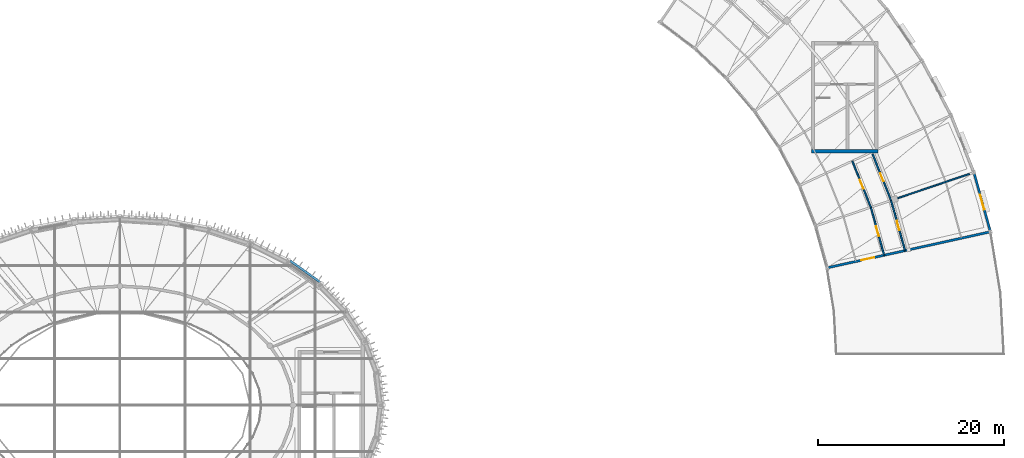
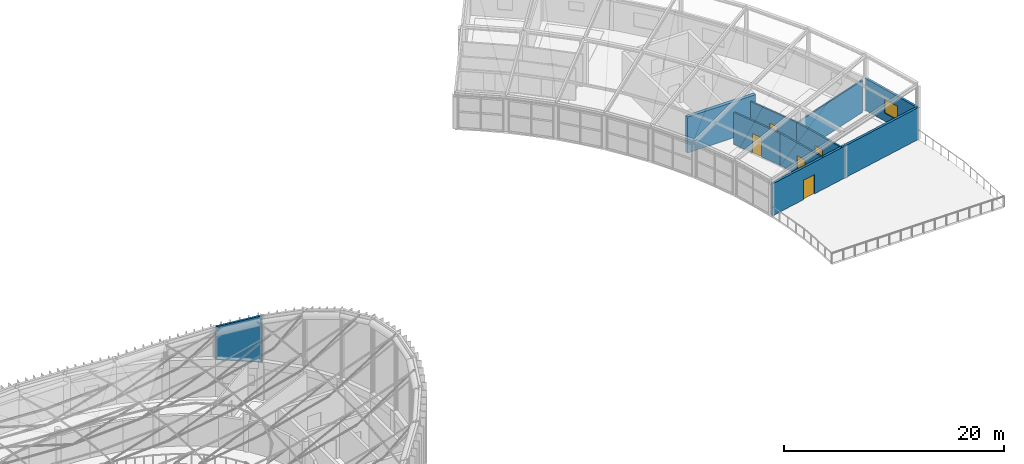
# One storey, part 28 of 36: 10 walls, 5 doors, 1 window, 6 openings.
"""IFC4 building model written with IfcOpenShell, lengths in metres."""

from ifc_helpers import new_model, si_unit, direction, frame, frame_2d, origin, place, context, subcontext, project, spatial, polyline, rectangle, outline, extrude, material, layer, layer_set, type_object, element, fill, save


model = new_model("IFC4")

# Units and contexts
model_context = context("Model", 3, precision=1e-05, world=origin(), true_north=direction((0.0, 1.0)))
body_context = subcontext(model_context, "Body", "Model", "MODEL_VIEW")
ifc_project = project(units=[si_unit("LENGTHUNIT", "METRE"), si_unit("AREAUNIT", "SQUARE_METRE"), si_unit("VOLUMEUNIT", "CUBIC_METRE"), si_unit("PLANEANGLEUNIT", "RADIAN"), si_unit("MASSUNIT", "GRAM", prefix="KILO")], contexts=[model_context])

# Site, building, storey
site_placement = place(None, origin())
site = spatial("IfcSite", under=ifc_project, at=site_placement, CompositionType="ELEMENT")
building_placement = place(site_placement, origin())
building = spatial("IfcBuilding", under=site, at=building_placement, Name="Tarnveldt Headland Concert Hall", CompositionType="ELEMENT")
storey_placement = place(building_placement, frame((0.0, 0.0, 22.800048828125)))
storey = spatial("IfcBuildingStorey", under=building, at=storey_placement, Name="L05", CompositionType="ELEMENT", Elevation=22.800048828125)

# Walls
ifc_material_1 = material(Name="Concrete C40/50", Category="concrete")
ifc_layer_1 = layer(ifc_material_1, 0.35009765625, Name="Concrete C40/50", Category="concrete")
ifc_layer_set_1 = layer_set([ifc_layer_1], Name="Concrete C40/50")
wall_type_1 = type_object("IfcWallType", Name="WL-CR350", PredefinedType="SHEAR", material=ifc_layer_set_1)
wall_1_placement = place(storey_placement, frame((157.824951171875, 81.800048828125, 0.0), z_axis=(0.0, 0.0, 1.0), x_axis=(1.0, 0.0, 0.0)))
element("IfcWall", 1, at=wall_1_placement, inside=storey, type_object=wall_type_1, Name="Core C3 south shear wall L05", PredefinedType="SHEAR", context=body_context, shape_type="SweptSolid", body=[
    extrude(rectangle(XDim=7.150146484375, YDim=0.35009765625, at=frame_2d((3.5751953125, 0.0))), origin(), (0.0, 0.0, 1.0), 3.97998046875),
])
ifc_material_2 = material(Name="Coral-toned precast concrete C40/50", Category="concrete")
ifc_layer_2 = layer(ifc_material_2, 0.239990234375, Name="Coral-toned precast concrete C40/50", Category="concrete")
ifc_layer_set_2 = layer_set([ifc_layer_2], Name="Coral-toned precast concrete C40/50")
wall_type_2 = type_object("IfcWallType", Name="WL-EX240", PredefinedType="SOLIDWALL", material=ifc_layer_set_2)
wall_2_placement = place(storey_placement, frame((105.146728515625, 67.632568359375, 3.800048828125), z_axis=(0.0, 0.0, 1.0), x_axis=(-0.813717912107, 0.581259975843, 0.0)))
element("IfcWall", 2, at=wall_2_placement, inside=storey, type_object=wall_type_2, Name="Crown saddle acoustic tympanum panel 5", PredefinedType="SOLIDWALL", context=body_context, shape_type="SweptSolid", body=[
    extrude(outline(polyline([(0.0, 0.0), (4.240966796875, 0.0), (4.2412109375, 3.656005859375), (0.0, 5.183837890625), (0.0, 0.0)])), frame((0.0, 0.1201171875, 0.0), z_axis=(0.0, -1.0, 0.0), x_axis=(1.0, 0.0, 0.0)), (0.0, 0.0, 1.0), 0.239990234375),
])

# Wall, opening, window
wall_3_placement = place(storey_placement, frame((175.296630859375, 79.50439453125, 0.0), z_axis=(0.0, 0.0, 1.0), x_axis=(0.268139380464, -0.96338012884, 0.0)))
wall_3 = element("IfcWall", 3, at=wall_3_placement, inside=storey, type_object=wall_type_2, Name="External precast wall L05-176", PredefinedType="SOLIDWALL", context=body_context, shape_type="SweptSolid", body=[
    extrude(rectangle(XDim=6.5810546875, YDim=0.239990234375, at=frame_2d((3.29052734375, 0.0))), origin(), (0.0, 0.0, 1.0), 3.54296875),
])
opening_1_placement = place(wall_3_placement, frame((2.465576171875, 0.0, 0.89990234375)))
opening_1 = element("IfcOpeningElement", 4, at=opening_1_placement, cuts=wall_3, Name="Opening W-C090", PredefinedType="OPENING", context=body_context, shape_type="SweptSolid", body=[
    extrude(rectangle(XDim=1.64990234375, YDim=1.550048828125, at=frame_2d((0.824951171875, 0.77490234375))), frame((0.0, 0.1298828125, 0.0), z_axis=(0.0, -1.0, 0.0), x_axis=(1.0, 0.0, 0.0)), (0.0, 0.0, 1.0), 0.260009765625),
])
ifc_material_3 = material(Name="Acoustic laminated low-iron double glazing", Category="glass")
window_type = type_object("IfcWindowType", Name="WN-04", PartitioningType="SINGLE_PANEL", PredefinedType="WINDOW", material=ifc_material_3)
window_placement = place(opening_1_placement, origin())
window = element("IfcWindow", 5, at=window_placement, inside=storey, type_object=window_type, Name="Crescent coastal studio window L05-12", OverallHeight=1.550048828125, OverallWidth=1.64990234375, PartitioningType="SINGLE_PANEL", PredefinedType="WINDOW", context=body_context, shape_type="SweptSolid", body=[
    extrude(rectangle(XDim=1.64990234375, YDim=1.550048828125, at=frame_2d((0.824951171875, 0.77490234375))), frame((0.0, 0.030029296875, 0.0), z_axis=(0.0, -1.0, 0.0), x_axis=(1.0, 0.0, 0.0)), (0.0, 0.0, 1.0), 0.06005859375),
])
fill(opening_1, window)

# Wall, opening, door
ifc_layer_3 = layer(ifc_material_2, 0.25, Name="Coral-toned precast concrete C40/50", Category="concrete")
ifc_layer_set_3 = layer_set([ifc_layer_3], Name="Coral-toned precast concrete C40/50")
wall_type_3 = type_object("IfcWallType", Name="WL-EX250", PredefinedType="SOLIDWALL", material=ifc_layer_set_3)
wall_4_placement = place(storey_placement, frame((168.2587890625, 71.201416015625, 0.0), z_axis=(0.0, 0.0, 1.0), x_axis=(-0.976503371234, -0.215502125205, 0.0)))
wall_4 = element("IfcWall", 6, at=wall_4_placement, inside=storey, type_object=wall_type_3, Name="External precast wall L05-183", PredefinedType="SOLIDWALL", context=body_context, shape_type="SweptSolid", body=[
    extrude(rectangle(XDim=8.9599609375, YDim=0.25, at=frame_2d((4.47998046875, 0.0))), origin(), (0.0, 0.0, 1.0), 3.54296875),
])
opening_2_placement = place(wall_4_placement, frame((3.780029296875, 0.0, 0.0)))
opening_2 = element("IfcOpeningElement", 7, at=opening_2_placement, cuts=wall_4, Name="Opening TD-C5", PredefinedType="OPENING", context=body_context, shape_type="SweptSolid", body=[
    extrude(rectangle(XDim=1.39990234375, YDim=2.14990234375, at=frame_2d((0.699951171875, 1.074951171875))), frame((0.0, 0.135009765625, 0.0), z_axis=(0.0, -1.0, 0.0), x_axis=(1.0, 0.0, 0.0)), (0.0, 0.0, 1.0), 0.27001953125),
])
ifc_material_4 = material(Name="Marine-anodised aluminium EN AW-6063-T6", Category="aluminium")
door_type_1 = type_object("IfcDoorType", Name="DR-TR140", OperationType="NOTDEFINED", PredefinedType="DOOR", material=ifc_material_4)
door_1_placement = place(opening_2_placement, origin())
door_1 = element("IfcDoor", 8, at=door_1_placement, inside=storey, type_object=door_type_1, Name="Crescent coastal terrace door L05", OperationType="SINGLE_SWING_LEFT", OverallHeight=2.14990234375, OverallWidth=1.39990234375, PredefinedType="DOOR", context=body_context, shape_type="SweptSolid", body=[
    extrude(rectangle(XDim=1.39990234375, YDim=2.14990234375, at=frame_2d((0.699951171875, 1.074951171875))), frame((0.0, 0.02490234375, 0.0), z_axis=(0.0, -1.0, 0.0), x_axis=(1.0, 0.0, 0.0)), (0.0, 0.0, 1.0), 0.050048828125),
])
fill(opening_2, door_1)

# Walls
wall_5_placement = place(storey_placement, frame((177.04736328125, 73.140869140625, 0.0), z_axis=(0.0, 0.0, 1.0), x_axis=(-0.976503371234, -0.215502125205, 0.0)))
element("IfcWall", 9, at=wall_5_placement, inside=storey, type_object=wall_type_3, Name="External precast wall L05-184", PredefinedType="SOLIDWALL", context=body_context, shape_type="SweptSolid", body=[
    extrude(rectangle(XDim=8.9599609375, YDim=0.25, at=frame_2d((4.47998046875, 0.0))), origin(), (0.0, 0.0, 1.0), 3.54296875),
])
ifc_material_5 = material(Name="Acoustic multi-layer gypsum and mineral-wool partition", Category="gypsum")
ifc_layer_4 = layer(ifc_material_5, 0.14990234375, Name="Acoustic multi-layer gypsum and mineral-wool partition", Category="gypsum")
ifc_layer_set_4 = layer_set([ifc_layer_4], Name="Acoustic multi-layer gypsum and mineral-wool partition")
wall_type_4 = type_object("IfcWallType", Name="WL-PT150", PredefinedType="PARTITIONING", material=ifc_layer_set_4)
wall_6_placement = place(storey_placement, frame((166.5751953125, 76.5791015625, 0.0), z_axis=(0.0, 0.0, 1.0), x_axis=(0.947390199596, 0.320080942435, 0.0)))
element("IfcWall", 10, at=wall_6_placement, inside=storey, type_object=wall_type_4, Name="Interior acoustic partition L05-232", PredefinedType="PARTITIONING", context=body_context, shape_type="SweptSolid", body=[
    extrude(rectangle(XDim=8.699951171875, YDim=0.14990234375, at=frame_2d((4.35009765625, 0.0))), origin(), (0.0, 0.0, 1.0), 3.544921875),
])

# Wall, opening, door
ifc_layer_5 = layer(ifc_material_5, 0.1650390625, Name="Acoustic multi-layer gypsum and mineral-wool partition", Category="gypsum")
ifc_layer_set_5 = layer_set([ifc_layer_5], Name="Acoustic multi-layer gypsum and mineral-wool partition")
wall_type_5 = type_object("IfcWallType", Name="WL-PT165", PredefinedType="PARTITIONING", material=ifc_layer_set_5)
wall_7_placement = place(storey_placement, frame((165.6416015625, 70.623779296875, 0.0), z_axis=(0.0, 0.0, 1.0), x_axis=(-0.268128561912, 0.963383139923, 0.0)))
wall_7 = element("IfcWall", 11, at=wall_7_placement, inside=storey, type_object=wall_type_5, Name="Interior acoustic partition L05-228", PredefinedType="PARTITIONING", context=body_context, shape_type="SweptSolid", body=[
    extrude(rectangle(XDim=5.351318359375, YDim=0.1650390625, at=frame_2d((2.67578125, 0.0))), origin(), (0.0, 0.0, 1.0), 3.544921875),
])
opening_3_placement = place(wall_7_placement, frame((2.150634765625, 0.0, 0.0)))
opening_3 = element("IfcOpeningElement", 12, at=opening_3_placement, cuts=wall_7, Name="Opening D-L05-227", PredefinedType="OPENING", context=body_context, shape_type="SweptSolid", body=[
    extrude(rectangle(XDim=1.050048828125, YDim=2.14990234375, at=frame_2d((0.52490234375, 1.074951171875))), frame((0.0, 0.092529296875, 0.0), z_axis=(0.0, -1.0, 0.0), x_axis=(1.0, 0.0, 0.0)), (0.0, 0.0, 1.0), 0.18505859375),
])
ifc_material_6 = material(Name="Treated East African mvule hardwood", Category="wood")
door_type_2 = type_object("IfcDoorType", Name="DR-RM105", OperationType="NOTDEFINED", PredefinedType="DOOR", material=ifc_material_6)
door_2_placement = place(opening_3_placement, origin())
door_2 = element("IfcDoor", 13, at=door_2_placement, inside=storey, type_object=door_type_2, Name="Interior room door L05-227", OperationType="SINGLE_SWING_LEFT", OverallHeight=2.14990234375, OverallWidth=1.050048828125, PredefinedType="DOOR", context=body_context, shape_type="SweptSolid", body=[
    extrude(rectangle(XDim=1.050048828125, YDim=2.14990234375, at=frame_2d((0.52490234375, 1.074951171875))), frame((0.0, 0.02490234375, 0.0), z_axis=(0.0, -1.0, 0.0), x_axis=(1.0, 0.0, 0.0)), (0.0, 0.0, 1.0), 0.050048828125),
])
fill(opening_3, door_2)

wall_8_placement = place(storey_placement, frame((167.8876953125, 71.119384765625, 0.0), z_axis=(0.0, 0.0, 1.0), x_axis=(-0.268163153024, 0.963373511863, 0.0)))
wall_8 = element("IfcWall", 14, at=wall_8_placement, inside=storey, type_object=wall_type_5, Name="Interior acoustic partition L05-229", PredefinedType="PARTITIONING", context=body_context, shape_type="SweptSolid", body=[
    extrude(rectangle(XDim=5.600830078125, YDim=0.1650390625, at=frame_2d((2.80029296875, 0.0))), origin(), (0.0, 0.0, 1.0), 3.544921875),
])
opening_4_placement = place(wall_8_placement, frame((2.300537109375, 0.0, 0.0)))
opening_4 = element("IfcOpeningElement", 15, at=opening_4_placement, cuts=wall_8, Name="Opening D-L05-228", PredefinedType="OPENING", context=body_context, shape_type="SweptSolid", body=[
    extrude(rectangle(XDim=1.0, YDim=2.1201171875, at=frame_2d((0.5, 1.06005859375))), frame((0.0, 0.092529296875, 0.0), z_axis=(0.0, -1.0, 0.0), x_axis=(1.0, 0.0, 0.0)), (0.0, 0.0, 1.0), 0.18505859375),
])
door_type_3 = type_object("IfcDoorType", Name="DR-RM100", OperationType="NOTDEFINED", PredefinedType="DOOR", material=ifc_material_6)
door_3_placement = place(opening_4_placement, origin())
door_3 = element("IfcDoor", 16, at=door_3_placement, inside=storey, type_object=door_type_3, Name="Interior room door L05-228", OperationType="SINGLE_SWING_RIGHT", OverallHeight=2.1201171875, OverallWidth=1.0, PredefinedType="DOOR", context=body_context, shape_type="SweptSolid", body=[
    extrude(rectangle(XDim=1.0, YDim=2.1201171875, at=frame_2d((0.5, 1.06005859375))), frame((0.0, 0.02490234375, 0.0), z_axis=(0.0, -1.0, 0.0), x_axis=(1.0, 0.0, 0.0)), (0.0, 0.0, 1.0), 0.050048828125),
])
fill(opening_4, door_3)

wall_9_placement = place(storey_placement, frame((164.206787109375, 75.779052734375, 0.0), z_axis=(0.0, 0.0, 1.0), x_axis=(-0.371052411724, 0.92861192527, 0.0)))
wall_9 = element("IfcWall", 17, at=wall_9_placement, inside=storey, type_object=wall_type_5, Name="Interior acoustic partition L05-230", PredefinedType="PARTITIONING", context=body_context, shape_type="SweptSolid", body=[
    extrude(rectangle(XDim=5.351318359375, YDim=0.1650390625, at=frame_2d((2.67578125, 0.0))), origin(), (0.0, 0.0, 1.0), 3.544921875),
])
opening_5_placement = place(wall_9_placement, frame((2.150634765625, 0.0, 0.0)))
opening_5 = element("IfcOpeningElement", 18, at=opening_5_placement, cuts=wall_9, Name="Opening D-L05-229", PredefinedType="OPENING", context=body_context, shape_type="SweptSolid", body=[
    extrude(rectangle(XDim=1.050048828125, YDim=2.14990234375, at=frame_2d((0.52490234375, 1.074951171875))), frame((0.0, 0.092529296875, 0.0), z_axis=(0.0, -1.0, 0.0), x_axis=(1.0, 0.0, 0.0)), (0.0, 0.0, 1.0), 0.18505859375),
])
door_4_placement = place(opening_5_placement, origin())
door_4 = element("IfcDoor", 19, at=door_4_placement, inside=storey, type_object=door_type_2, Name="Interior room door L05-229", OperationType="SINGLE_SWING_LEFT", OverallHeight=2.14990234375, OverallWidth=1.050048828125, PredefinedType="DOOR", context=body_context, shape_type="SweptSolid", body=[
    extrude(rectangle(XDim=1.050048828125, YDim=2.14990234375, at=frame_2d((0.52490234375, 1.074951171875))), frame((0.0, 0.02490234375, 0.0), z_axis=(0.0, -1.0, 0.0), x_axis=(1.0, 0.0, 0.0)), (0.0, 0.0, 1.0), 0.050048828125),
])
fill(opening_5, door_4)

wall_10_placement = place(storey_placement, frame((166.3857421875, 76.51513671875, 0.0), z_axis=(0.0, 0.0, 1.0), x_axis=(-0.370990720389, 0.928636573362, 0.0)))
wall_10 = element("IfcWall", 20, at=wall_10_placement, inside=storey, type_object=wall_type_5, Name="Interior acoustic partition L05-231", PredefinedType="PARTITIONING", context=body_context, shape_type="SweptSolid", body=[
    extrude(rectangle(XDim=5.367919921875, YDim=0.1650390625, at=frame_2d((2.68408203125, 0.0))), origin(), (0.0, 0.0, 1.0), 3.544921875),
])
opening_6_placement = place(wall_10_placement, frame((2.223876953125, 0.0, 0.0)))
opening_6 = element("IfcOpeningElement", 21, at=opening_6_placement, cuts=wall_10, Name="Opening D-L05-230", PredefinedType="OPENING", context=body_context, shape_type="SweptSolid", body=[
    extrude(rectangle(XDim=0.919921875, YDim=2.10009765625, at=frame_2d((0.4599609375, 1.050048828125))), frame((0.0, 0.092529296875, 0.0), z_axis=(0.0, -1.0, 0.0), x_axis=(1.0, 0.0, 0.0)), (0.0, 0.0, 1.0), 0.18505859375),
])
door_type_4 = type_object("IfcDoorType", Name="DR-WC092", OperationType="NOTDEFINED", PredefinedType="DOOR", material=ifc_material_6)
door_5_placement = place(opening_6_placement, origin())
door_5 = element("IfcDoor", 22, at=door_5_placement, inside=storey, type_object=door_type_4, Name="Interior room door L05-230", OperationType="SINGLE_SWING_RIGHT", OverallHeight=2.10009765625, OverallWidth=0.919921875, PredefinedType="DOOR", context=body_context, shape_type="SweptSolid", body=[
    extrude(rectangle(XDim=0.919921875, YDim=2.10009765625, at=frame_2d((0.4599609375, 1.050048828125))), frame((0.0, 0.02490234375, 0.0), z_axis=(0.0, -1.0, 0.0), x_axis=(1.0, 0.0, 0.0)), (0.0, 0.0, 1.0), 0.050048828125),
])
fill(opening_6, door_5)

save(model, "model.ifc")
